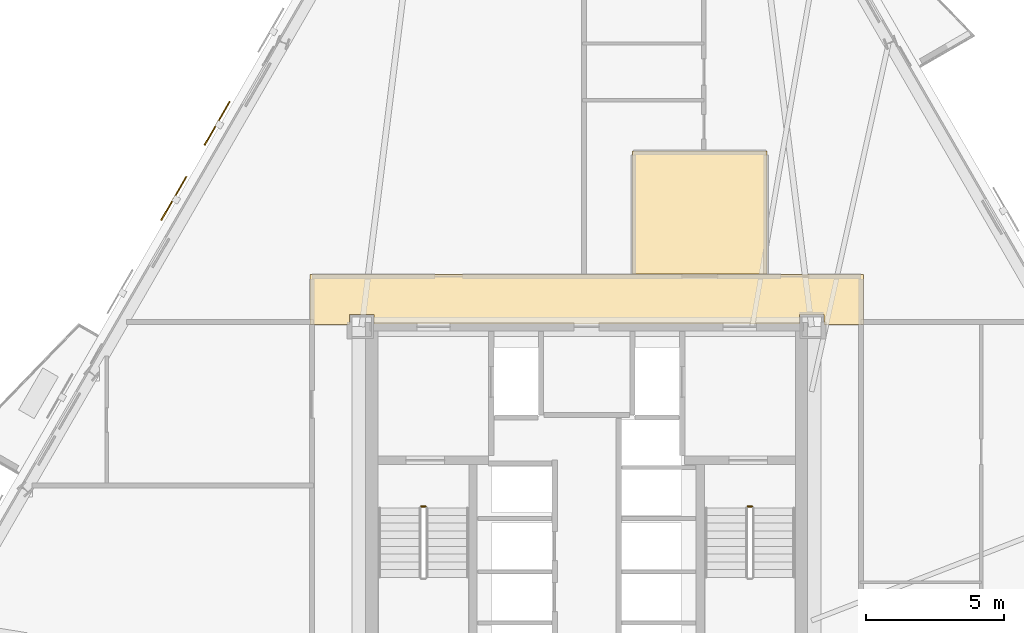
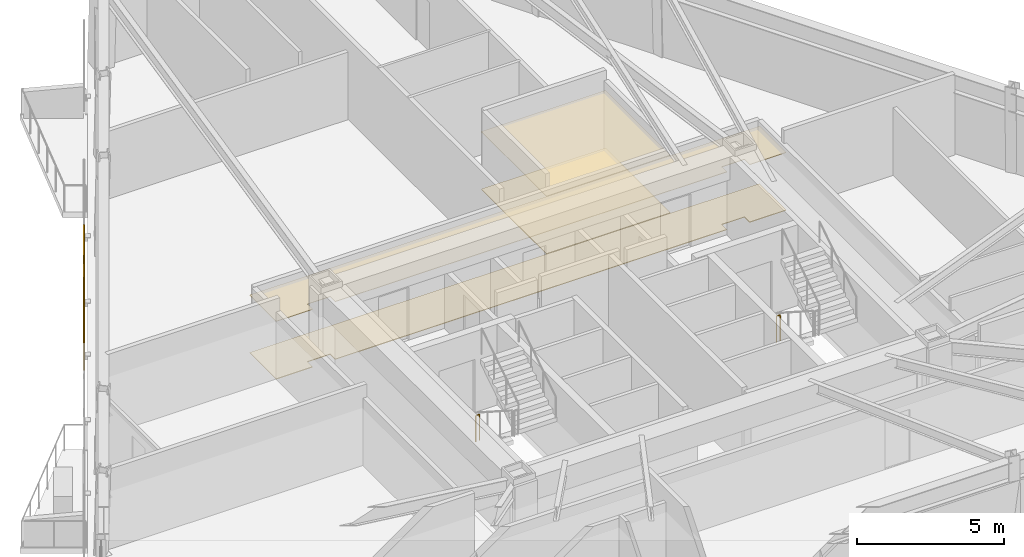
# One storey, part 8 of 9: 4 coverings, 2 railings, 2 shading devices.
"""IFC4 building model written with IfcOpenShell, lengths in metres."""

import ifcopenshell
import ifcopenshell.guid

model = None  # the IFC model being written
_history = None  # IfcOwnerHistory: only IFC2X3 demands one
_inside = {}  # id of a spatial element -> (the spatial element, [elements in it])
_under = {}  # id of a project, library or spatial element -> (it, [spatial elements below it])
_declared = {}  # id of a project -> (the project, [libraries it declares])
_typed = {}  # id of a type object -> (the type object, [elements of that type])
_made_of = {}  # id of a material, layer set ... -> (it, [elements and type objects made of it])


def new_model(schema):
    """Start an empty IFC model of exactly this schema.

    Asked for "IFC4X3", IfcOpenShell would pick the latest addendum, in which some entities
    have other attributes; the version numbers below select the first issue.
    IFC2X3 requires an IfcOwnerHistory on every rooted entity: one is made here for all.
    """
    global model, _history
    if schema == "IFC4X3":
        model = ifcopenshell.file(schema_version=(4, 3, 0, 0))
    else:
        model = ifcopenshell.file(schema=schema)
    _inside.clear()
    _under.clear()
    _declared.clear()
    _typed.clear()
    _made_of.clear()
    _history = None
    if model.schema == "IFC2X3":
        org = make("IfcOrganization", Name="unknown")
        user = make(
            "IfcPersonAndOrganization",
            ThePerson=make("IfcPerson", FamilyName="unknown"),
            TheOrganization=org,
        )
        app = make(
            "IfcApplication",
            ApplicationDeveloper=org,
            Version="unknown",
            ApplicationFullName="unknown",
            ApplicationIdentifier="unknown",
        )
        _history = make(
            "IfcOwnerHistory",
            OwningUser=user,
            OwningApplication=app,
            ChangeAction="ADDED",
            CreationDate=0,
        )
    return model


def make(cls, **values):
    """One entity of the class cls with the attributes given. An attribute that is None is left unset."""
    return model.create_entity(
        cls, **{name: value for name, value in values.items() if value is not None}
    )


def rooted(cls, **values):
    """An entity with a GlobalId (a new one), such as an element, a storey or a relation."""
    return make(cls, GlobalId=ifcopenshell.guid.new(), OwnerHistory=_history, **values)


def si_unit(unit_type, name, prefix=None):
    """IfcSIUnit, for example si_unit("LENGTHUNIT", "METRE", prefix="MILLI")."""
    return make("IfcSIUnit", UnitType=unit_type, Prefix=prefix, Name=name)


def assignment(units):
    """IfcUnitAssignment: the units of a project."""
    return None if units is None else make("IfcUnitAssignment", Units=units)


def point(xyz):
    """IfcCartesianPoint."""
    return None if xyz is None else make("IfcCartesianPoint", Coordinates=xyz)


def direction(xyz):
    """IfcDirection."""
    return None if xyz is None else make("IfcDirection", DirectionRatios=xyz)


def frame(location, z_axis=None, x_axis=None):
    """IfcAxis2Placement3D, a coordinate frame: its origin and axes. An axis left out is left unset."""
    return make(
        "IfcAxis2Placement3D",
        Location=point(location),
        Axis=direction(z_axis),
        RefDirection=direction(x_axis),
    )


def frame_2d(location, x_axis=None):
    """IfcAxis2Placement2D, a coordinate frame in the plane: its origin and x axis."""
    return make(
        "IfcAxis2Placement2D", Location=point(location), RefDirection=direction(x_axis)
    )


def origin():
    """The frame at (0, 0, 0) with its axes left unset."""
    return frame((0.0, 0.0, 0.0))


def origin_2d():
    """The frame at (0, 0) in the plane with its x axis left unset."""
    return frame_2d((0.0, 0.0))


def place(relative_to, where):
    """IfcLocalPlacement: puts the frame where relative to a parent placement (None: the world)."""
    return make(
        "IfcLocalPlacement", PlacementRelTo=relative_to, RelativePlacement=where
    )


def context(
    kind, dimensions, precision=None, world=None, true_north=None, identifier=None
):
    """IfcGeometricRepresentationContext, for example the 3D "Model" context."""
    return make(
        "IfcGeometricRepresentationContext",
        ContextIdentifier=identifier,
        ContextType=kind,
        CoordinateSpaceDimension=dimensions,
        Precision=precision,
        WorldCoordinateSystem=world,
        TrueNorth=true_north,
    )


def subcontext(parent, identifier, kind, view, scale=None):
    """IfcGeometricRepresentationSubContext, for example "Body" below "Model"."""
    return make(
        "IfcGeometricRepresentationSubContext",
        ContextIdentifier=identifier,
        ContextType=kind,
        ParentContext=parent,
        TargetScale=scale,
        TargetView=view,
    )


def project(units=None, contexts=None):
    """IfcProject with its units and contexts."""
    return rooted(
        "IfcProject",
        Name="project",
        RepresentationContexts=contexts,
        UnitsInContext=assignment(units),
    )


def spatial(cls, under=None, at=None, **own):
    """A site, building, storey or space (cls), placed at a placement, below another one or the project."""
    s = rooted(cls, ObjectPlacement=at, **own)
    if under is not None:
        _under.setdefault(under.id(), (under, []))[1].append(s)
    return s


def polyline(points):
    """IfcPolyline through the points."""
    return make("IfcPolyline", Points=[point(p) for p in points])


def profile(cls, at=None, kind="AREA", **sizes):
    """A parametric profile (cls). Its sizes go by their IFC names, for example OverallWidth=200.0."""
    return make(cls, ProfileType=kind, Position=at, **sizes)


def rectangle(**sizes):
    """IfcRectangleProfileDef."""
    return profile("IfcRectangleProfileDef", **sizes)


def circle(**sizes):
    """IfcCircleProfileDef."""
    return profile("IfcCircleProfileDef", **sizes)


def outline(outer, holes=None, kind="AREA"):
    """IfcArbitraryClosedProfileDef: a profile drawn as a closed curve; with holes, ...WithVoids."""
    if holes is None:
        return make("IfcArbitraryClosedProfileDef", ProfileType=kind, OuterCurve=outer)
    return make(
        "IfcArbitraryProfileDefWithVoids",
        ProfileType=kind,
        OuterCurve=outer,
        InnerCurves=holes,
    )


def extrude(swept, where, along, depth):
    """IfcExtrudedAreaSolid: the profile swept, set in the frame where, extruded along a direction by depth."""
    return make(
        "IfcExtrudedAreaSolid",
        SweptArea=swept,
        Position=where,
        ExtrudedDirection=direction(along),
        Depth=depth,
    )


def shape(context_of_items, identifier, shape_type, items):
    """IfcShapeRepresentation: the items that make up one representation, for example the "Body"."""
    return make(
        "IfcShapeRepresentation",
        ContextOfItems=context_of_items,
        RepresentationIdentifier=identifier,
        RepresentationType=shape_type,
        Items=items,
    )


def material(Name=None, Category=None):
    """IfcMaterial."""
    return make("IfcMaterial", Name=Name, Category=Category)


def layer(
    of_material, thickness, ventilated=None, Name=None, Category=None, Priority=None
):
    """IfcMaterialLayer: one layer of a wall or slab, of a material (None: an air gap)."""
    return make(
        "IfcMaterialLayer",
        Material=of_material,
        LayerThickness=thickness,
        IsVentilated=ventilated,
        Name=Name,
        Category=Category,
        Priority=Priority,
    )


def layer_set(layers, Name=None):
    """IfcMaterialLayerSet."""
    return make("IfcMaterialLayerSet", MaterialLayers=layers, LayerSetName=Name)


def made_of(thing, what):
    """Note that an element or type object is made of a material, layer set ...; save() writes the relation."""
    if what is not None:
        _made_of.setdefault(what.id(), (what, []))[1].append(thing)
    return thing


def type_object(cls, material=None, **own):
    """A type object (cls), such as IfcWallType, which elements share."""
    return made_of(rooted(cls, **own), material)


def element(
    cls,
    number,
    at=None,
    inside=None,
    cuts=None,
    type_object=None,
    material=None,
    context=None,
    identifier="Body",
    shape_type=None,
    held_by="IfcProductDefinitionShape",
    body=None,
    shapes=None,
    **own,
):
    """One element of the class cls, such as IfcWall. Its Tag is "e" and its number.

    at: its placement. inside: the storey or other place that contains it. cuts: it is an
    opening in that element (IfcRelVoidsElement). A single representation is given by context,
    identifier, shape_type and body (its items); several are given by shapes. held_by: the class
    of the entity that holds the representations. save() writes the other relations.
    """
    e = rooted(cls, Tag="e%d" % number, ObjectPlacement=at, **own)
    if body is not None:
        shapes = [shape(context, identifier, shape_type, body)]
    if shapes is not None:
        e.Representation = make(held_by, Representations=shapes)
    if inside is not None:
        _inside.setdefault(inside.id(), (inside, []))[1].append(e)
    if cuts is not None:
        rooted(
            "IfcRelVoidsElement", RelatingBuildingElement=cuts, RelatedOpeningElement=e
        )
    if type_object is not None:
        _typed.setdefault(type_object.id(), (type_object, []))[1].append(e)
    return made_of(e, material)


def aggregate(whole, parts):
    """IfcRelAggregates: a whole, such as a stair, and the parts it consists of."""
    return rooted("IfcRelAggregates", RelatingObject=whole, RelatedObjects=parts)


def save(model, path):
    """Write the relations noted so far, then the file.

    IfcRelAggregates (storeys below a building ...), IfcRelContainedInSpatialStructure (elements
    in a storey), IfcRelDefinesByType, IfcRelAssociatesMaterial and IfcRelDeclares: one each for
    every whole, place, type object, material and project.
    """
    for whole, parts in _under.values():
        aggregate(whole, parts)
    for where, things in _inside.values():
        rooted(
            "IfcRelContainedInSpatialStructure",
            RelatedElements=things,
            RelatingStructure=where,
        )
    for kind, things in _typed.values():
        rooted("IfcRelDefinesByType", RelatedObjects=things, RelatingType=kind)
    for what, things in _made_of.values():
        rooted("IfcRelAssociatesMaterial", RelatedObjects=things, RelatingMaterial=what)
    for by, libraries in _declared.values():
        rooted("IfcRelDeclares", RelatingContext=by, RelatedDefinitions=libraries)
    model.write(path)


model = new_model("IFC4")

# Units and contexts
model_context = context("Model", 3, precision=1e-05, world=origin(), true_north=direction((0.0, 1.0)))
body_context = subcontext(model_context, "Body", "Model", "MODEL_VIEW")
ifc_project = project(units=[si_unit("LENGTHUNIT", "METRE"), si_unit("AREAUNIT", "SQUARE_METRE"), si_unit("VOLUMEUNIT", "CUBIC_METRE"), si_unit("PLANEANGLEUNIT", "RADIAN"), si_unit("MASSUNIT", "GRAM", prefix="KILO")], contexts=[model_context])

# Site, building, storey
site_placement = place(None, origin())
site = spatial("IfcSite", under=ifc_project, at=site_placement, CompositionType="ELEMENT")
building_placement = place(site_placement, origin())
building = spatial("IfcBuilding", under=site, at=building_placement, Name="Oramaril Tower", CompositionType="ELEMENT")
storey_placement = place(building_placement, frame((0.0, 0.0, 104.10009765625)))
storey = spatial("IfcBuildingStorey", under=building, at=storey_placement, Name="L27", CompositionType="ELEMENT", Elevation=104.10009765625)

# Coverings
ifc_material_1 = material(Name="Mineral Fibre Acoustic Ceiling")
ifc_layer_1 = layer(ifc_material_1, 0.02001953125)
ifc_layer_set_1 = layer_set([ifc_layer_1], Name="CVT-CEIL")
covering_type_1 = type_object("IfcCoveringType", Name="CVT-CEIL", PredefinedType="CEILING", material=ifc_layer_set_1)
covering_1_placement = place(storey_placement, frame((0.0, 0.0, 2.39990234375)))
element("IfcCovering", 1, at=covering_1_placement, inside=storey, type_object=covering_type_1, Name="L27 Acoustic Suspended Ceiling 2", PredefinedType="CEILING", context=body_context, shape_type="SweptSolid", body=[
    extrude(outline(polyline([(47.530029296875, 24.239990234375), (46.094970703125, 24.239990234375), (46.094970703125, 24.594970703125), (45.205078125, 24.594970703125), (45.205078125, 24.25), (29.794921875, 24.25), (29.794921875, 24.594970703125), (28.905029296875, 24.594970703125), (28.905029296875, 24.239990234375), (27.469970703125, 24.239990234375), (27.469970703125, 26.050048828125), (47.530029296875, 26.050048828125), (47.530029296875, 24.239990234375)])), origin(), (0.0, 0.0, 1.0), 0.02001953125),
])
covering_2_placement = place(storey_placement, frame((0.0, 0.0, 2.39990234375)))
element("IfcCovering", 2, at=covering_2_placement, inside=storey, type_object=covering_type_1, Name="L27 Acoustic Suspended Ceiling 5", PredefinedType="CEILING", context=body_context, shape_type="SweptSolid", body=[
    extrude(outline(polyline([(44.0419921875, 30.511962890625), (44.0419921875, 26.070068359375), (39.157958984375, 26.070068359375), (39.157958984375, 30.511962890625), (44.0419921875, 30.511962890625)])), origin(), (0.0, 0.0, 1.0), 0.02001953125),
])
ifc_material_2 = material(Name="Honed Quartzite Stone Flooring", Category="masonry")
ifc_layer_2 = layer(ifc_material_2, 0.02490234375)
ifc_layer_set_2 = layer_set([ifc_layer_2], Name="CVT-FLR")
covering_type_2 = type_object("IfcCoveringType", Name="CVT-FLR", PredefinedType="FLOORING", material=ifc_layer_set_2)
covering_3_placement = place(storey_placement, origin())
element("IfcCovering", 3, at=covering_3_placement, inside=storey, type_object=covering_type_2, Name="L27 Honed Stone Floor Finish 2", PredefinedType="FLOORING", context=body_context, shape_type="SweptSolid", body=[
    extrude(outline(polyline([(47.530029296875, 24.239990234375), (46.094970703125, 24.239990234375), (46.094970703125, 24.594970703125), (45.205078125, 24.594970703125), (45.205078125, 24.25), (29.794921875, 24.25), (29.794921875, 24.594970703125), (28.905029296875, 24.594970703125), (28.905029296875, 24.239990234375), (27.469970703125, 24.239990234375), (27.469970703125, 26.050048828125), (47.530029296875, 26.050048828125), (47.530029296875, 24.239990234375)])), origin(), (0.0, 0.0, 1.0), 0.02490234375),
])
covering_4_placement = place(storey_placement, origin())
element("IfcCovering", 4, at=covering_4_placement, inside=storey, type_object=covering_type_2, Name="L27 Honed Stone Floor Finish 5", PredefinedType="FLOORING", context=body_context, shape_type="SweptSolid", body=[
    extrude(outline(polyline([(44.0419921875, 30.511962890625), (44.0419921875, 26.070068359375), (39.157958984375, 26.070068359375), (39.157958984375, 30.511962890625), (44.0419921875, 30.511962890625)])), origin(), (0.0, 0.0, 1.0), 0.02490234375),
])

# Railings
ifc_material_3 = material(Name="Stainless Steel 316L", Category="steel")
railing_type = type_object("IfcRailingType", Name="RLT-GRD", PredefinedType="GUARDRAIL", material=ifc_material_3)
for number, where, name in (
    (5, (31.510009765625, 17.639892578125, 0.0), "L27 ST-1 stair guard 4"),
    (6, (43.340087890625, 17.639892578125, 0.0), "L27 ST-2 stair guard 4"),
):
    element("IfcRailing", number, at=place(storey_placement, frame(where)), inside=storey, type_object=railing_type, Name=name, PredefinedType="GUARDRAIL", context=body_context, shape_type="SweptSolid", body=[
        extrude(circle(Radius=0.02392578125, at=origin_2d()), frame((0.0, 0.0, 1.076171875), z_axis=(1.0, 0.0, 0.0), x_axis=(0.0, 1.0, 0.0)), (0.0, 0.0, 1.0), 0.14990234375),
        extrude(circle(Radius=0.02099609375, at=origin_2d()), origin(), (0.0, 0.0, 1.0), 1.052001953125),
        extrude(circle(Radius=0.02099609375, at=origin_2d()), frame((0.14990234375, 0.0, 0.0)), (0.0, 0.0, 1.0), 1.052001953125),
    ])

# Shading devices
for number, where, z_axis, x_axis, name in (
    (7, (24.10791015625, 31.517822265625, -0.02001953125), (0.0, 0.0, 1.0), (-0.5, -0.866025403784, 0.0), "L27 Perforated Ceramic Solar Screen"),
    (8, (22.539306640625, 28.800537109375, -0.02001953125), (0.0, 0.0, 1.0), (-0.5, -0.866025403784, 0.0), "L27 Perforated Ceramic Solar Screen"),
):
    element("IfcShadingDevice", number, at=place(storey_placement, frame(where, z_axis=z_axis, x_axis=x_axis)), inside=storey, Name=name, ObjectType="SCREEN", PredefinedType="USERDEFINED", context=body_context, shape_type="SweptSolid", body=[
        extrude(rectangle(XDim=1.8330078125, YDim=0.050048828125, at=origin_2d()), origin(), (0.0, 0.0, 1.0), 2.577880859375),
    ])

save(model, "model.ifc")
